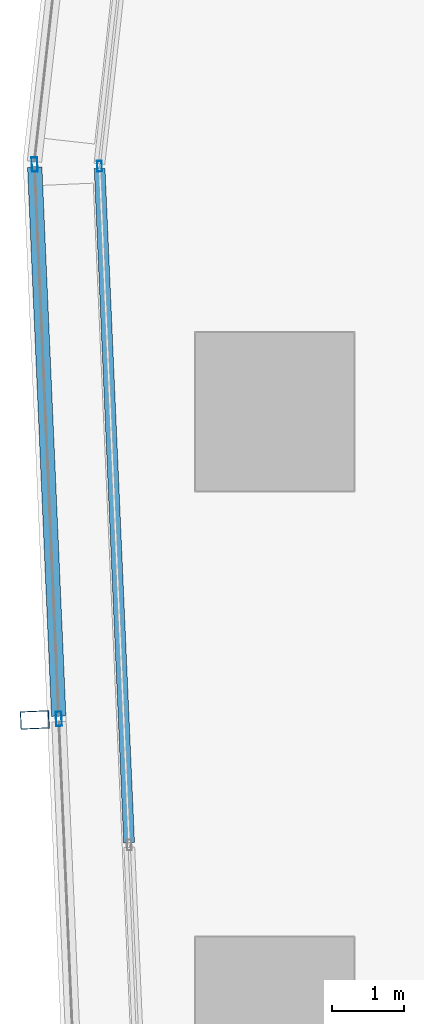
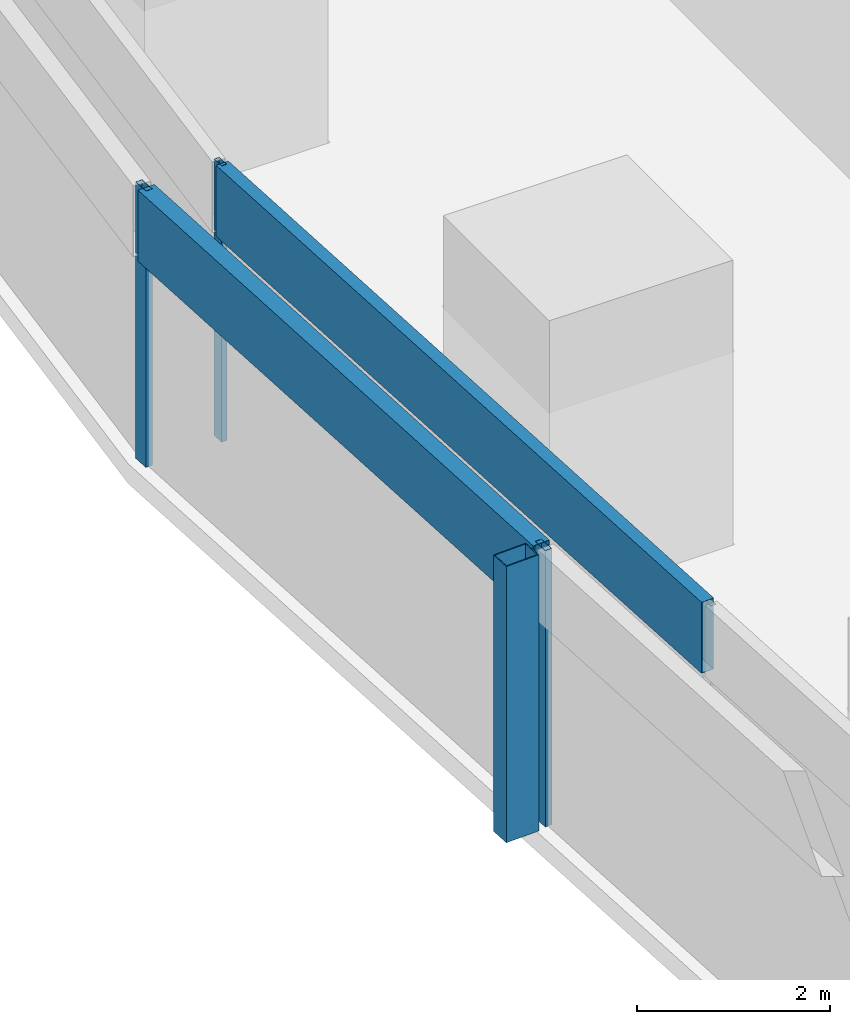
# One storey, part 14 of 44: 6 members, 2 elements without a shape of their own.
"""IFC4 building model written with IfcOpenShell, lengths in metres."""

import ifcopenshell
import ifcopenshell.guid

model = None  # the IFC model being written
_history = None  # IfcOwnerHistory: only IFC2X3 demands one
_inside = {}  # id of a spatial element -> (the spatial element, [elements in it])
_under = {}  # id of a project, library or spatial element -> (it, [spatial elements below it])
_declared = {}  # id of a project -> (the project, [libraries it declares])
_typed = {}  # id of a type object -> (the type object, [elements of that type])
_made_of = {}  # id of a material, layer set ... -> (it, [elements and type objects made of it])


def new_model(schema):
    """Start an empty IFC model of exactly this schema.

    Asked for "IFC4X3", IfcOpenShell would pick the latest addendum, in which some entities
    have other attributes; the version numbers below select the first issue.
    IFC2X3 requires an IfcOwnerHistory on every rooted entity: one is made here for all.
    """
    global model, _history
    if schema == "IFC4X3":
        model = ifcopenshell.file(schema_version=(4, 3, 0, 0))
    else:
        model = ifcopenshell.file(schema=schema)
    _inside.clear()
    _under.clear()
    _declared.clear()
    _typed.clear()
    _made_of.clear()
    _history = None
    if model.schema == "IFC2X3":
        org = make("IfcOrganization", Name="unknown")
        user = make(
            "IfcPersonAndOrganization",
            ThePerson=make("IfcPerson", FamilyName="unknown"),
            TheOrganization=org,
        )
        app = make(
            "IfcApplication",
            ApplicationDeveloper=org,
            Version="unknown",
            ApplicationFullName="unknown",
            ApplicationIdentifier="unknown",
        )
        _history = make(
            "IfcOwnerHistory",
            OwningUser=user,
            OwningApplication=app,
            ChangeAction="ADDED",
            CreationDate=0,
        )
    return model


def make(cls, **values):
    """One entity of the class cls with the attributes given. An attribute that is None is left unset."""
    return model.create_entity(
        cls, **{name: value for name, value in values.items() if value is not None}
    )


def rooted(cls, **values):
    """An entity with a GlobalId (a new one), such as an element, a storey or a relation."""
    return make(cls, GlobalId=ifcopenshell.guid.new(), OwnerHistory=_history, **values)


def si_unit(unit_type, name, prefix=None):
    """IfcSIUnit, for example si_unit("LENGTHUNIT", "METRE", prefix="MILLI")."""
    return make("IfcSIUnit", UnitType=unit_type, Prefix=prefix, Name=name)


def assignment(units):
    """IfcUnitAssignment: the units of a project."""
    return None if units is None else make("IfcUnitAssignment", Units=units)


def point(xyz):
    """IfcCartesianPoint."""
    return None if xyz is None else make("IfcCartesianPoint", Coordinates=xyz)


def direction(xyz):
    """IfcDirection."""
    return None if xyz is None else make("IfcDirection", DirectionRatios=xyz)


def frame(location, z_axis=None, x_axis=None):
    """IfcAxis2Placement3D, a coordinate frame: its origin and axes. An axis left out is left unset."""
    return make(
        "IfcAxis2Placement3D",
        Location=point(location),
        Axis=direction(z_axis),
        RefDirection=direction(x_axis),
    )


def frame_2d(location, x_axis=None):
    """IfcAxis2Placement2D, a coordinate frame in the plane: its origin and x axis."""
    return make(
        "IfcAxis2Placement2D", Location=point(location), RefDirection=direction(x_axis)
    )


def origin():
    """The frame at (0, 0, 0) with its axes left unset."""
    return frame((0.0, 0.0, 0.0))


def origin_2d():
    """The frame at (0, 0) in the plane with its x axis left unset."""
    return frame_2d((0.0, 0.0))


def place(relative_to, where):
    """IfcLocalPlacement: puts the frame where relative to a parent placement (None: the world)."""
    return make(
        "IfcLocalPlacement", PlacementRelTo=relative_to, RelativePlacement=where
    )


def context(
    kind, dimensions, precision=None, world=None, true_north=None, identifier=None
):
    """IfcGeometricRepresentationContext, for example the 3D "Model" context."""
    return make(
        "IfcGeometricRepresentationContext",
        ContextIdentifier=identifier,
        ContextType=kind,
        CoordinateSpaceDimension=dimensions,
        Precision=precision,
        WorldCoordinateSystem=world,
        TrueNorth=true_north,
    )


def subcontext(parent, identifier, kind, view, scale=None):
    """IfcGeometricRepresentationSubContext, for example "Body" below "Model"."""
    return make(
        "IfcGeometricRepresentationSubContext",
        ContextIdentifier=identifier,
        ContextType=kind,
        ParentContext=parent,
        TargetScale=scale,
        TargetView=view,
    )


def project(units=None, contexts=None):
    """IfcProject with its units and contexts."""
    return rooted(
        "IfcProject",
        Name="project",
        RepresentationContexts=contexts,
        UnitsInContext=assignment(units),
    )


def spatial(cls, under=None, at=None, **own):
    """A site, building, storey or space (cls), placed at a placement, below another one or the project."""
    s = rooted(cls, ObjectPlacement=at, **own)
    if under is not None:
        _under.setdefault(under.id(), (under, []))[1].append(s)
    return s


def profile(cls, at=None, kind="AREA", **sizes):
    """A parametric profile (cls). Its sizes go by their IFC names, for example OverallWidth=200.0."""
    return make(cls, ProfileType=kind, Position=at, **sizes)


def hollow_rectangle(**sizes):
    """IfcRectangleHollowProfileDef."""
    return profile("IfcRectangleHollowProfileDef", **sizes)


def extrude(swept, where, along, depth):
    """IfcExtrudedAreaSolid: the profile swept, set in the frame where, extruded along a direction by depth."""
    return make(
        "IfcExtrudedAreaSolid",
        SweptArea=swept,
        Position=where,
        ExtrudedDirection=direction(along),
        Depth=depth,
    )


def shape(context_of_items, identifier, shape_type, items):
    """IfcShapeRepresentation: the items that make up one representation, for example the "Body"."""
    return make(
        "IfcShapeRepresentation",
        ContextOfItems=context_of_items,
        RepresentationIdentifier=identifier,
        RepresentationType=shape_type,
        Items=items,
    )


def material(Name=None, Category=None):
    """IfcMaterial."""
    return make("IfcMaterial", Name=Name, Category=Category)


def material_profile(
    of_material, cross_section, Name=None, Category=None, Priority=None
):
    """IfcMaterialProfile: a cross section and its material."""
    return make(
        "IfcMaterialProfile",
        Name=Name,
        Material=of_material,
        Profile=cross_section,
        Priority=Priority,
        Category=Category,
    )


def profile_set(profiles, Name=None, composite=None):
    """IfcMaterialProfileSet."""
    return make(
        "IfcMaterialProfileSet",
        Name=Name,
        MaterialProfiles=profiles,
        CompositeProfile=composite,
    )


def made_of(thing, what):
    """Note that an element or type object is made of a material, layer set ...; save() writes the relation."""
    if what is not None:
        _made_of.setdefault(what.id(), (what, []))[1].append(thing)
    return thing


def type_object(cls, material=None, **own):
    """A type object (cls), such as IfcWallType, which elements share."""
    return made_of(rooted(cls, **own), material)


def element(
    cls,
    number,
    at=None,
    inside=None,
    cuts=None,
    type_object=None,
    material=None,
    context=None,
    identifier="Body",
    shape_type=None,
    held_by="IfcProductDefinitionShape",
    body=None,
    shapes=None,
    **own,
):
    """One element of the class cls, such as IfcWall. Its Tag is "e" and its number.

    at: its placement. inside: the storey or other place that contains it. cuts: it is an
    opening in that element (IfcRelVoidsElement). A single representation is given by context,
    identifier, shape_type and body (its items); several are given by shapes. held_by: the class
    of the entity that holds the representations. save() writes the other relations.
    """
    e = rooted(cls, Tag="e%d" % number, ObjectPlacement=at, **own)
    if body is not None:
        shapes = [shape(context, identifier, shape_type, body)]
    if shapes is not None:
        e.Representation = make(held_by, Representations=shapes)
    if inside is not None:
        _inside.setdefault(inside.id(), (inside, []))[1].append(e)
    if cuts is not None:
        rooted(
            "IfcRelVoidsElement", RelatingBuildingElement=cuts, RelatedOpeningElement=e
        )
    if type_object is not None:
        _typed.setdefault(type_object.id(), (type_object, []))[1].append(e)
    return made_of(e, material)


def aggregate(whole, parts):
    """IfcRelAggregates: a whole, such as a stair, and the parts it consists of."""
    return rooted("IfcRelAggregates", RelatingObject=whole, RelatedObjects=parts)


def save(model, path):
    """Write the relations noted so far, then the file.

    IfcRelAggregates (storeys below a building ...), IfcRelContainedInSpatialStructure (elements
    in a storey), IfcRelDefinesByType, IfcRelAssociatesMaterial and IfcRelDeclares: one each for
    every whole, place, type object, material and project.
    """
    for whole, parts in _under.values():
        aggregate(whole, parts)
    for where, things in _inside.values():
        rooted(
            "IfcRelContainedInSpatialStructure",
            RelatedElements=things,
            RelatingStructure=where,
        )
    for kind, things in _typed.values():
        rooted("IfcRelDefinesByType", RelatedObjects=things, RelatingType=kind)
    for what, things in _made_of.values():
        rooted("IfcRelAssociatesMaterial", RelatedObjects=things, RelatingMaterial=what)
    for by, libraries in _declared.values():
        rooted("IfcRelDeclares", RelatingContext=by, RelatedDefinitions=libraries)
    model.write(path)


model = new_model("IFC4")

# Units and contexts
model_context = context("Model", 3, precision=1e-05, world=origin(), true_north=direction((0.0, 1.0)))
body_context = subcontext(model_context, "Body", "Model", "MODEL_VIEW")
ifc_project = project(units=[si_unit("LENGTHUNIT", "METRE"), si_unit("AREAUNIT", "SQUARE_METRE"), si_unit("VOLUMEUNIT", "CUBIC_METRE"), si_unit("PLANEANGLEUNIT", "RADIAN"), si_unit("MASSUNIT", "GRAM", prefix="KILO")], contexts=[model_context])

# Site, building, storey
site_placement = place(None, origin())
site = spatial("IfcSite", under=ifc_project, at=site_placement, CompositionType="ELEMENT")
building_placement = place(site_placement, origin())
building = spatial("IfcBuilding", under=site, at=building_placement, Name="Rekha Terrace Tower", CompositionType="ELEMENT")
storey_placement = place(building_placement, frame((0.0, 0.0, 62.89990234375)))
storey = spatial("IfcBuildingStorey", under=building, at=storey_placement, Name="L15", CompositionType="ELEMENT", Elevation=62.89990234375)

# Curtain wall, member
ifc_material_1 = material(Name="Aluminium framing", Category="aluminium")
curtain_wall_type_1 = type_object("IfcCurtainWallType", Name="CW2 double skin outer glazing", PredefinedType="USERDEFINED", material=ifc_material_1)
curtain_wall_1_placement = place(storey_placement, origin())
curtain_wall_1 = element("IfcCurtainWall", 1, at=curtain_wall_1_placement, inside=storey, type_object=curtain_wall_type_1, Name="CW2 double skin outer glazing", ObjectType="DOUBLE SKIN OUTER GLAZING", PredefinedType="USERDEFINED")
ifc_material_2 = material(Name="Steel S355 with fluorocarbon finish", Category="steel")
ifc_material_profile_1 = material_profile(ifc_material_2, hollow_rectangle(XDim=0.25, YDim=0.39990234375, WallThickness=0.012451171875, at=origin_2d()), Name="RHS400x250x12.5")
ifc_profile_set_1 = profile_set([ifc_material_profile_1], Name="Steel S355 with fluorocarbon finish")
member_type_1 = type_object("IfcMemberType", Name="BL1 facade blade RHS 400 x 250", PredefinedType="USERDEFINED", material=ifc_profile_set_1)
member_1_placement = place(storey_placement, frame((5.064208984375, 37.715576171875, 0.0), z_axis=(0.0, 0.0, 1.0), x_axis=(0.04368215933, -0.999045478923, 0.0)))
member_1 = element("IfcMember", 2, at=member_1_placement, type_object=member_type_1, Name="Facade blade", ObjectType="FACADE BLADE", PredefinedType="USERDEFINED", context=body_context, shape_type="SweptSolid", body=[
    extrude(hollow_rectangle(XDim=0.25, YDim=0.39990234375, WallThickness=0.012451171875, at=origin_2d()), origin(), (0.0, 0.0, 1.0), 3.5),
])

# Curtain wall, members
curtain_wall_type_2 = type_object("IfcCurtainWallType", Name="CW1 double skin inner glazing", PredefinedType="USERDEFINED", material=ifc_material_1)
curtain_wall_2_placement = place(storey_placement, origin())
curtain_wall_2 = element("IfcCurtainWall", 3, at=curtain_wall_2_placement, inside=storey, type_object=curtain_wall_type_2, Name="CW1 double skin inner glazing", ObjectType="DOUBLE SKIN INNER GLAZING", PredefinedType="USERDEFINED")
ifc_material_3 = material(Name="Aluminium mullion section", Category="aluminium")
ifc_material_profile_2 = material_profile(ifc_material_3, hollow_rectangle(XDim=0.06494140625, YDim=0.14990234375, WallThickness=0.00390625, at=origin_2d()), Name="AL RHS 65x150")
ifc_profile_set_2 = profile_set([ifc_material_profile_2], Name="Aluminium mullion section")
member_type_2 = type_object("IfcMemberType", Name="CW1 mullion RHS 65 x 150", PredefinedType="MULLION", material=ifc_profile_set_2)
member_2_placement = place(storey_placement, frame((5.964111328125, 45.4111328125, 0.0), z_axis=(0.0, 0.0, 1.0), x_axis=(0.999045462133, 0.043682543337, 0.0)))
member_2 = element("IfcMember", 4, at=member_2_placement, type_object=member_type_2, Name="CW1 mullion 1", PredefinedType="MULLION", context=body_context, shape_type="SweptSolid", body=[
    extrude(hollow_rectangle(XDim=0.06494140625, YDim=0.14990234375, WallThickness=0.00390625, at=origin_2d()), origin(), (0.0, 0.0, 1.0), 3.5),
])
ifc_material_4 = material(Name="Insulated aluminium spandrel box", Category="aluminium")
ifc_material_profile_3 = material_profile(ifc_material_4, hollow_rectangle(XDim=0.14990234375, YDim=0.89990234375, WallThickness=0.0029296875, at=origin_2d()), Name="AL SPANDREL BOX 150x900")
ifc_profile_set_3 = profile_set([ifc_material_profile_3], Name="Insulated aluminium spandrel box")
member_type_3 = type_object("IfcMemberType", Name="CW1 spandrel transom 150 x 900", PredefinedType="USERDEFINED", material=ifc_profile_set_3)
member_3_placement = place(storey_placement, frame((5.96533203125, 45.378662109375, 3.050048828125), z_axis=(0.043689187094, -0.999045171617, 0.0), x_axis=(0.999045171617, 0.043689187094, 0.0)))
member_3 = element("IfcMember", 5, at=member_3_placement, type_object=member_type_3, Name="CW1 spandrel transom 1", ObjectType="TRANSOM", PredefinedType="USERDEFINED", context=body_context, shape_type="SweptSolid", body=[
    extrude(hollow_rectangle(XDim=0.14990234375, YDim=0.89990234375, WallThickness=0.0029296875, at=origin_2d()), origin(), (0.0, 0.0, 1.0), 9.376953125),
])
aggregate(curtain_wall_2, [member_2, member_3])

# Member
ifc_material_profile_4 = material_profile(ifc_material_3, hollow_rectangle(XDim=0.080078125, YDim=0.199951171875, WallThickness=0.00390625, at=origin_2d()), Name="AL RHS 80x200")
ifc_profile_set_4 = profile_set([ifc_material_profile_4], Name="Aluminium mullion section")
member_type_4 = type_object("IfcMemberType", Name="CW2 mullion RHS 80 x 200", PredefinedType="MULLION", material=ifc_profile_set_4)
member_4_placement = place(storey_placement, frame((5.062255859375, 45.4345703125, 0.0), z_axis=(0.0, 0.0, 1.0), x_axis=(0.999045462131, 0.043682543372, 0.0)))
member_4 = element("IfcMember", 6, at=member_4_placement, type_object=member_type_4, Name="CW2 mullion 1", PredefinedType="MULLION", context=body_context, shape_type="SweptSolid", body=[
    extrude(hollow_rectangle(XDim=0.080078125, YDim=0.199951171875, WallThickness=0.00390625, at=origin_2d()), origin(), (0.0, 0.0, 1.0), 3.5),
])

member_5_placement = place(storey_placement, frame((5.39892578125, 37.730224609375, 0.0), z_axis=(0.0, 0.0, 1.0), x_axis=(0.999045462131, 0.043682543372, 0.0)))
member_5 = element("IfcMember", 7, at=member_5_placement, type_object=member_type_4, Name="CW2 mullion 2", PredefinedType="MULLION", context=body_context, shape_type="SweptSolid", body=[
    extrude(hollow_rectangle(XDim=0.080078125, YDim=0.199951171875, WallThickness=0.00390625, at=origin_2d()), origin(), (0.0, 0.0, 1.0), 3.5),
])

ifc_material_profile_5 = material_profile(ifc_material_4, hollow_rectangle(XDim=0.199951171875, YDim=0.89990234375, WallThickness=0.0029296875, at=origin_2d()), Name="AL SPANDREL BOX 200x900")
ifc_profile_set_5 = profile_set([ifc_material_profile_5], Name="Insulated aluminium spandrel box")
member_type_5 = type_object("IfcMemberType", Name="CW2 spandrel transom 200 x 900", PredefinedType="USERDEFINED", material=ifc_profile_set_5)
member_6_placement = place(storey_placement, frame((5.06396484375, 45.39453125, 3.050048828125), z_axis=(0.043666283256, -0.99904617296, 0.0), x_axis=(0.99904617296, 0.043666283256, 0.0)))
member_6 = element("IfcMember", 8, at=member_6_placement, type_object=member_type_5, Name="CW2 spandrel transom 1", ObjectType="TRANSOM", PredefinedType="USERDEFINED", context=body_context, shape_type="SweptSolid", body=[
    extrude(hollow_rectangle(XDim=0.199951171875, YDim=0.89990234375, WallThickness=0.0029296875, at=origin_2d()), origin(), (0.0, 0.0, 1.0), 7.6318359375),
])

aggregate(curtain_wall_1, [member_4, member_5, member_6, member_1])

save(model, "model.ifc")
